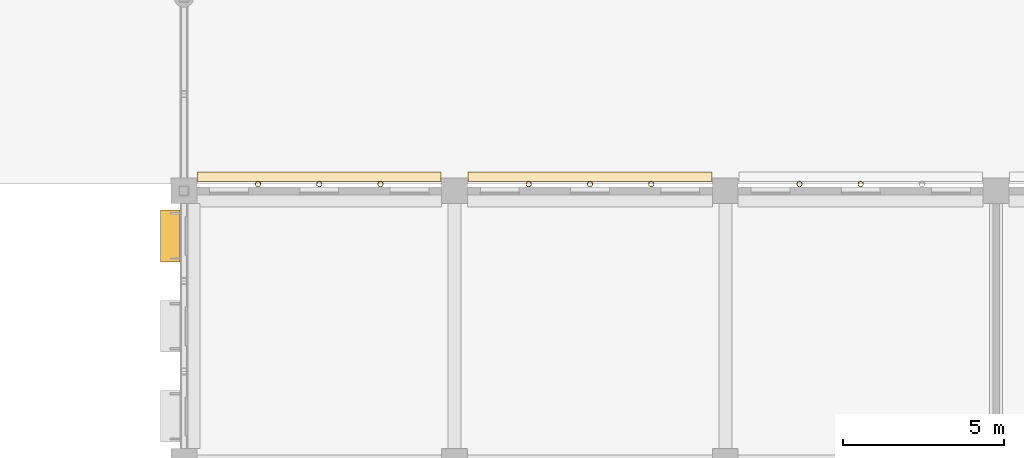
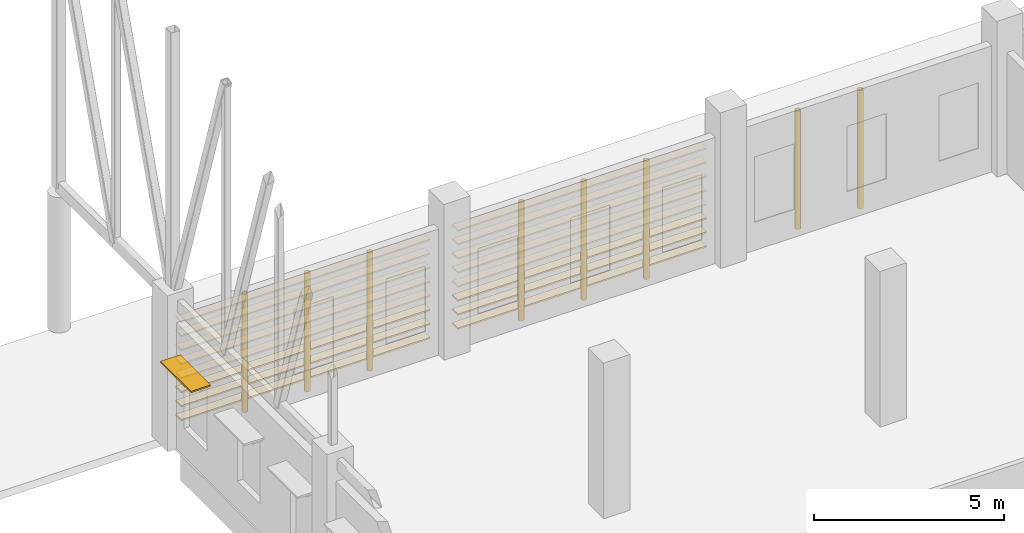
# One storey, part 82 of 101: 16 coverings, 9 shading devices.
"""IFC4 building model written with IfcOpenShell, lengths in metres."""

from ifc_helpers import new_model, si_unit, direction, frame, origin, origin_2d, place, context, subcontext, project, spatial, rectangle, hollow_circle, extrude, material, material_profile, profile_set, type_object, element, save


model = new_model("IFC4")

# Units and contexts
model_context = context("Model", 3, precision=1e-05, world=origin(), true_north=direction((0.0, 1.0)))
body_context = subcontext(model_context, "Body", "Model", "MODEL_VIEW")
ifc_project = project(units=[si_unit("LENGTHUNIT", "METRE"), si_unit("AREAUNIT", "SQUARE_METRE"), si_unit("VOLUMEUNIT", "CUBIC_METRE"), si_unit("PLANEANGLEUNIT", "RADIAN"), si_unit("MASSUNIT", "GRAM", prefix="KILO")], contexts=[model_context])

# Site, building, storey
site_placement = place(None, origin())
site = spatial("IfcSite", under=ifc_project, at=site_placement, CompositionType="ELEMENT")
building_placement = place(site_placement, origin())
building = spatial("IfcBuilding", under=site, at=building_placement, Name="Almond Square Museum", CompositionType="ELEMENT")
storey_placement = place(building_placement, frame((0.0, 0.0, 5.5)))
storey = spatial("IfcBuildingStorey", under=building, at=storey_placement, Name="L01", CompositionType="ELEMENT", Elevation=5.5)

# Shading devices
ifc_material_1 = material(Name="Structural steel S355", Category="steel")
ifc_material_profile_1 = material_profile(ifc_material_1, hollow_circle(Radius=0.084228515625, WallThickness=0.008056640625, at=origin_2d()))
ifc_profile_set_1 = profile_set([ifc_material_profile_1], Name="Structural steel S355")
shading_device_type_1 = type_object("IfcShadingDeviceType", Name="Louvre post CHS 168.3 x 8", PredefinedType="USERDEFINED", material=ifc_profile_set_1)
for number, where, z_axis, x_axis, name in (
    (1, (58.699951171875, 109.4091796875, 0.0), (0.0, 0.0, 1.0), (1.0, 0.0, 0.0), "Louvre screen post"),
    (2, (60.60009765625, 109.4091796875, 0.0), (0.0, 0.0, 1.0), (1.0, 0.0, 0.0), "Louvre screen post"),
    (3, (50.300048828125, 109.4091796875, 0.0), (0.0, 0.0, 1.0), (1.0, 0.0, 0.0), "Louvre screen post"),
    (4, (52.199951171875, 109.4091796875, 0.0), (0.0, 0.0, 1.0), (1.0, 0.0, 0.0), "Louvre screen post"),
    (5, (54.10009765625, 109.4091796875, 0.0), (0.0, 0.0, 1.0), (1.0, 0.0, 0.0), "Louvre screen post"),
    (6, (41.89990234375, 109.4091796875, 0.0), (0.0, 0.0, 1.0), (1.0, 0.0, 0.0), "Louvre screen post"),
    (7, (43.800048828125, 109.4091796875, 0.0), (0.0, 0.0, 1.0), (1.0, 0.0, 0.0), "Louvre screen post"),
    (8, (45.699951171875, 109.4091796875, 0.0), (0.0, 0.0, 1.0), (1.0, 0.0, 0.0), "Louvre screen post"),
):
    element("IfcShadingDevice", number, at=place(storey_placement, frame(where, z_axis=z_axis, x_axis=x_axis)), inside=storey, type_object=shading_device_type_1, Name=name, ObjectType="POST", PredefinedType="USERDEFINED", context=body_context, shape_type="SweptSolid", body=[
        extrude(hollow_circle(Radius=0.084228515625, WallThickness=0.008056640625, at=origin_2d()), origin(), (0.0, 0.0, 1.0), 3.800048828125),
    ])

# Coverings
ifc_material_2 = material(Name="Cedar timber louvre board", Category="wood")
ifc_material_profile_2 = material_profile(ifc_material_2, rectangle(XDim=0.300048828125, YDim=0.050048828125, at=origin_2d()))
ifc_profile_set_2 = profile_set([ifc_material_profile_2], Name="Cedar timber louvre board")
covering_type = type_object("IfcCoveringType", Name="Louvre screen board 300 x 50", PredefinedType="CLADDING", material=ifc_profile_set_2)
for number, where, z_axis, x_axis, name in (
    (9, (48.419921875, 109.639404296875, 0.300048828125), (1.0, 0.0, 0.0), (0.0, 1.0, 0.0), "Louvre screen board"),
    (10, (48.419921875, 109.639404296875, 0.75), (1.0, 0.0, 0.0), (0.0, 1.0, 0.0), "Louvre screen board"),
    (11, (48.419921875, 109.639404296875, 1.199951171875), (1.0, 0.0, 0.0), (0.0, 1.0, 0.0), "Louvre screen board"),
    (12, (48.419921875, 109.639404296875, 1.64990234375), (1.0, 0.0, 0.0), (0.0, 1.0, 0.0), "Louvre screen board"),
    (13, (48.419921875, 109.639404296875, 2.10009765625), (1.0, 0.0, 0.0), (0.0, 1.0, 0.0), "Louvre screen board"),
    (14, (48.419921875, 109.639404296875, 2.550048828125), (1.0, 0.0, 0.0), (0.0, 1.0, 0.0), "Louvre screen board"),
    (15, (48.419921875, 109.639404296875, 3.0), (1.0, 0.0, 0.0), (0.0, 1.0, 0.0), "Louvre screen board"),
    (16, (48.419921875, 109.639404296875, 3.449951171875), (1.0, 0.0, 0.0), (0.0, 1.0, 0.0), "Louvre screen board"),
    (17, (40.02001953125, 109.639404296875, 0.300048828125), (1.0, 0.0, 0.0), (0.0, 1.0, 0.0), "Louvre screen board"),
    (18, (40.02001953125, 109.639404296875, 0.75), (1.0, 0.0, 0.0), (0.0, 1.0, 0.0), "Louvre screen board"),
    (19, (40.02001953125, 109.639404296875, 1.199951171875), (1.0, 0.0, 0.0), (0.0, 1.0, 0.0), "Louvre screen board"),
    (20, (40.02001953125, 109.639404296875, 1.64990234375), (1.0, 0.0, 0.0), (0.0, 1.0, 0.0), "Louvre screen board"),
    (21, (40.02001953125, 109.639404296875, 2.10009765625), (1.0, 0.0, 0.0), (0.0, 1.0, 0.0), "Louvre screen board"),
    (22, (40.02001953125, 109.639404296875, 2.550048828125), (1.0, 0.0, 0.0), (0.0, 1.0, 0.0), "Louvre screen board"),
    (23, (40.02001953125, 109.639404296875, 3.0), (1.0, 0.0, 0.0), (0.0, 1.0, 0.0), "Louvre screen board"),
    (24, (40.02001953125, 109.639404296875, 3.449951171875), (1.0, 0.0, 0.0), (0.0, 1.0, 0.0), "Louvre screen board"),
):
    element("IfcCovering", number, at=place(storey_placement, frame(where, z_axis=z_axis, x_axis=x_axis)), inside=storey, type_object=covering_type, Name=name, PredefinedType="CLADDING", context=body_context, shape_type="SweptSolid", body=[
        extrude(rectangle(XDim=0.300048828125, YDim=0.050048828125, at=origin_2d()), origin(), (0.0, 0.0, 1.0), 7.56005859375),
    ])

# Shading device
ifc_material_3 = material(Name="Anodised aluminium", Category="aluminium")
ifc_material_profile_3 = material_profile(ifc_material_3, rectangle(XDim=0.60009765625, YDim=0.050048828125, at=origin_2d()))
ifc_profile_set_3 = profile_set([ifc_material_profile_3], Name="Anodised aluminium")
shading_device_type_2 = type_object("IfcShadingDeviceType", Name="Sun-shade blade 600 x 50", PredefinedType="USERDEFINED", material=ifc_profile_set_3)
shading_device_placement = place(storey_placement, frame((39.177001953125, 107.0, 3.1201171875), z_axis=(0.0, 1.0, 0.0), x_axis=(-1.0, 0.0, 0.0)))
element("IfcShadingDevice", 25, at=shading_device_placement, inside=storey, type_object=shading_device_type_2, Name="Sun-shade blade", ObjectType="LOUVRE", PredefinedType="USERDEFINED", context=body_context, shape_type="SweptSolid", body=[
    extrude(rectangle(XDim=0.60009765625, YDim=0.050048828125, at=origin_2d()), origin(), (0.0, 0.0, 1.0), 1.60009765625),
])

save(model, "model.ifc")
